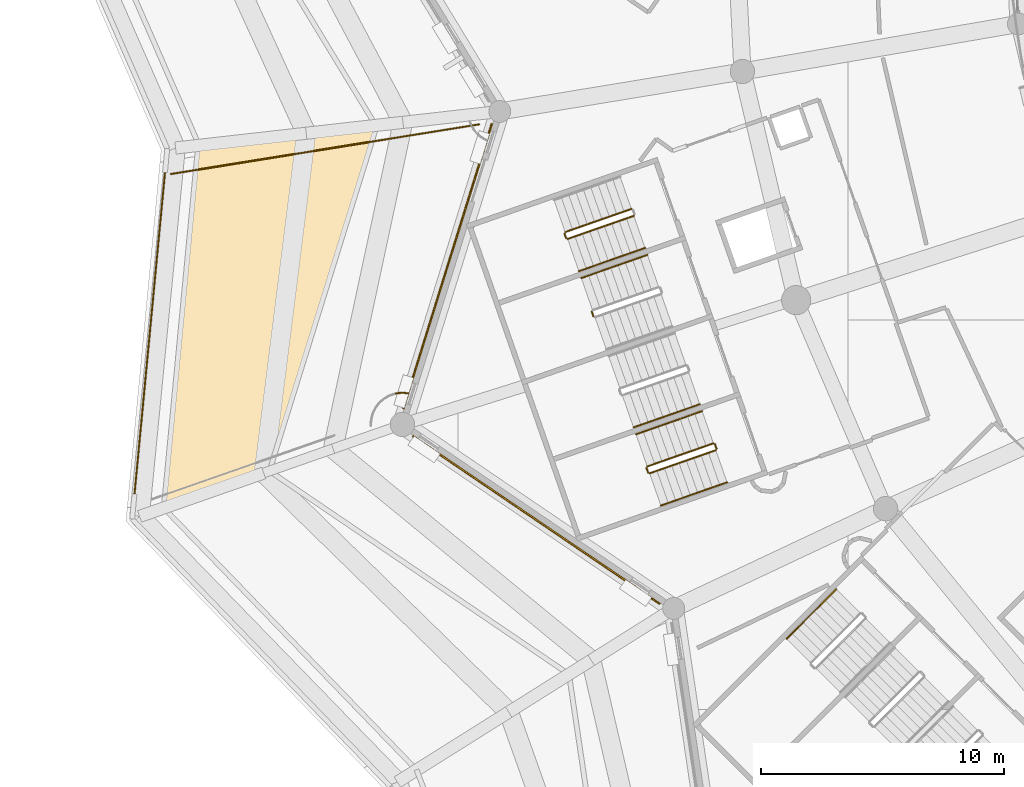
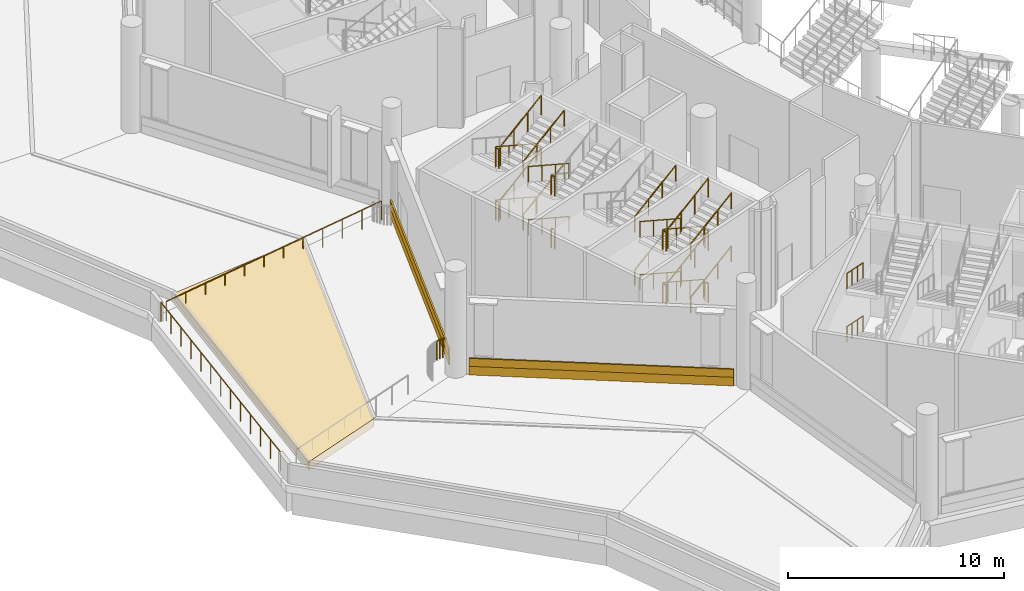
# One storey, part 111 of 173: 33 railings, 5 coverings.
"""IFC4 building model written with IfcOpenShell, lengths in metres."""

from ifc_helpers import new_model, si_unit, direction, frame, origin, origin_2d, place, context, subcontext, project, spatial, polyline, rectangle, circle, outline, extrude, material, layer, layer_set, type_object, element, save


model = new_model("IFC4")

# Units and contexts
model_context = context("Model", 3, precision=1e-05, world=origin(), true_north=direction((0.0, 1.0)))
body_context = subcontext(model_context, "Body", "Model", "MODEL_VIEW")
ifc_project = project(units=[si_unit("LENGTHUNIT", "METRE"), si_unit("AREAUNIT", "SQUARE_METRE"), si_unit("VOLUMEUNIT", "CUBIC_METRE"), si_unit("PLANEANGLEUNIT", "RADIAN"), si_unit("MASSUNIT", "GRAM", prefix="KILO")], contexts=[model_context])

# Site, building, storey
site_placement = place(None, origin())
site = spatial("IfcSite", under=ifc_project, at=site_placement, CompositionType="ELEMENT")
building_placement = place(site_placement, origin())
building = spatial("IfcBuilding", under=site, at=building_placement, Name="Meseta Stadium", CompositionType="ELEMENT")
storey_placement = place(building_placement, frame((0.0, 0.0, 18.0)))
storey = spatial("IfcBuildingStorey", under=building, at=storey_placement, Name="L03", CompositionType="ELEMENT", Elevation=18.0)

# Coverings
ifc_material_1 = material(Name="Guadarrama granite cladding", Category="masonry")
ifc_layer_1 = layer(ifc_material_1, 0.06005859375)
ifc_layer_set_1 = layer_set([ifc_layer_1], Name="Granite plinth cladding 60")
covering_type_1 = type_object("IfcCoveringType", Name="Granite plinth cladding 60", PredefinedType="CLADDING", material=ifc_layer_set_1)
for number, where, z_axis, x_axis, name in (
    (1, (-96.433349609375, -61.799560546875, 0.0), (0.0, 0.0, 1.0), (0.29686825517, 0.954918446294, 0.0), "Granite plinth L03 F37"),
    (2, (-92.787353515625, -72.219482421875, 0.0), (0.0, 0.0, 1.0), (-0.827483560898, 0.561489943314, 0.0), "Granite plinth L03 F38"),
):
    element("IfcCovering", number, at=place(storey_placement, frame(where, z_axis=z_axis, x_axis=x_axis)), inside=storey, type_object=covering_type_1, Name=name, PredefinedType="CLADDING", context=body_context, shape_type="SweptSolid", body=[
        extrude(rectangle(XDim=12.273193359375, YDim=0.06005859375, at=origin_2d()), origin(), (0.0, 0.0, 1.0), 0.5),
    ])
ifc_material_2 = material(Name="Planting soil")
ifc_layer_2 = layer(ifc_material_2, 0.449951171875)
ifc_layer_set_2 = layer_set([ifc_layer_2], Name="Planting soil 450")
covering_type_2 = type_object("IfcCoveringType", Name="Planting soil 450", PredefinedType="FLOORING", material=ifc_layer_set_2)
covering_placement = place(storey_placement, origin())
element("IfcCovering", 3, at=covering_placement, inside=storey, type_object=covering_type_2, Name="Roof garden planting bed 5.1 panel 04", PredefinedType="FLOORING", context=body_context, shape_type="SweptSolid", body=[
    extrude(outline(polyline([(-99.38720703125, -56.015380859375), (-106.683349609375, -56.83740234375), (-108.0947265625, -71.727783203125), (-103.7548828125, -70.20947265625), (-99.357421875, -56.06396484375), (-99.38720703125, -56.015380859375)])), origin(), (0.0, 0.0, 1.0), 0.449951171875),
])

# Railings
ifc_material_3 = material(Name="Steel S355", Category="steel")
railing_type_1 = type_object("IfcRailingType", Name="Roof garden guard 1100", PredefinedType="GUARDRAIL", material=ifc_material_3)
railing_1_placement = place(storey_placement, frame((-109.29541015625, -71.148681640625, 0.0)))
element("IfcRailing", 4, at=railing_1_placement, inside=storey, type_object=railing_type_1, Name="Roof garden guard 5.29.1", PredefinedType="GUARDRAIL", context=body_context, shape_type="SweptSolid", body=[
    extrude(circle(Radius=0.02490234375, at=origin_2d()), frame((0.0, 0.0, 1.0751953125), z_axis=(0.094344729349, 0.995539588386, 0.0), x_axis=(-0.995539588386, 0.094344729349, 0.0)), (0.0, 0.0, 1.0), 13.249267578125),
    extrude(circle(Radius=0.02001953125, at=origin_2d()), origin(), (0.0, 0.0, 1.0), 1.050048828125),
    extrude(circle(Radius=0.02001953125, at=origin_2d()), frame((0.104248046875, 1.09912109375, 0.0)), (0.0, 0.0, 1.0), 1.050048828125),
    extrude(circle(Radius=0.02001953125, at=origin_2d()), frame((0.208251953125, 2.1982421875, 0.0)), (0.0, 0.0, 1.0), 1.050048828125),
    extrude(circle(Radius=0.02001953125, at=origin_2d()), frame((0.3125, 3.297607421875, 0.0)), (0.0, 0.0, 1.0), 1.050048828125),
    extrude(circle(Radius=0.02001953125, at=origin_2d()), frame((0.416748046875, 4.396728515625, 0.0)), (0.0, 0.0, 1.0), 1.050048828125),
    extrude(circle(Radius=0.02001953125, at=origin_2d()), frame((0.520751953125, 5.495849609375, 0.0)), (0.0, 0.0, 1.0), 1.050048828125),
    extrude(circle(Radius=0.02001953125, at=origin_2d()), frame((0.625, 6.59521484375, 0.0)), (0.0, 0.0, 1.0), 1.050048828125),
    extrude(circle(Radius=0.02001953125, at=origin_2d()), frame((0.729248046875, 7.6943359375, 0.0)), (0.0, 0.0, 1.0), 1.050048828125),
    extrude(circle(Radius=0.02001953125, at=origin_2d()), frame((0.833251953125, 8.79345703125, 0.0)), (0.0, 0.0, 1.0), 1.050048828125),
    extrude(circle(Radius=0.02001953125, at=origin_2d()), frame((0.9375, 9.892578125, 0.0)), (0.0, 0.0, 1.0), 1.050048828125),
    extrude(circle(Radius=0.02001953125, at=origin_2d()), frame((1.041748046875, 10.99169921875, 0.0)), (0.0, 0.0, 1.0), 1.050048828125),
    extrude(circle(Radius=0.02001953125, at=origin_2d()), frame((1.145751953125, 12.091064453125, 0.0)), (0.0, 0.0, 1.0), 1.050048828125),
    extrude(circle(Radius=0.02001953125, at=origin_2d()), frame((1.25, 13.190185546875, 0.0)), (0.0, 0.0, 1.0), 1.050048828125),
])
railing_2_placement = place(storey_placement, frame((-107.799072265625, -58.010009765625, 0.0)))
element("IfcRailing", 5, at=railing_2_placement, inside=storey, type_object=railing_type_1, Name="Roof garden end guard 2", PredefinedType="GUARDRAIL", context=body_context, shape_type="SweptSolid", body=[
    extrude(circle(Radius=0.02490234375, at=origin_2d()), frame((0.0, 0.0, 1.0751953125), z_axis=(0.987277688325, 0.159005553792, 0.0), x_axis=(-0.159005553792, 0.987277688325, 0.0)), (0.0, 0.0, 1.0), 12.822265625),
    extrude(circle(Radius=0.02001953125, at=origin_2d()), origin(), (0.0, 0.0, 1.0), 1.050048828125),
    extrude(circle(Radius=0.02001953125, at=origin_2d()), frame((1.15087890625, 0.185302734375, 0.0)), (0.0, 0.0, 1.0), 1.050048828125),
    extrude(circle(Radius=0.02001953125, at=origin_2d()), frame((2.3017578125, 0.37060546875, 0.0)), (0.0, 0.0, 1.0), 1.050048828125),
    extrude(circle(Radius=0.02001953125, at=origin_2d()), frame((3.452392578125, 0.55615234375, 0.0)), (0.0, 0.0, 1.0), 1.050048828125),
    extrude(circle(Radius=0.02001953125, at=origin_2d()), frame((4.603271484375, 0.741455078125, 0.0)), (0.0, 0.0, 1.0), 1.050048828125),
    extrude(circle(Radius=0.02001953125, at=origin_2d()), frame((5.754150390625, 0.9267578125, 0.0)), (0.0, 0.0, 1.0), 1.050048828125),
    extrude(circle(Radius=0.02001953125, at=origin_2d()), frame((6.905029296875, 1.112060546875, 0.0)), (0.0, 0.0, 1.0), 1.050048828125),
    extrude(circle(Radius=0.02001953125, at=origin_2d()), frame((8.055908203125, 1.29736328125, 0.0)), (0.0, 0.0, 1.0), 1.050048828125),
    extrude(circle(Radius=0.02001953125, at=origin_2d()), frame((9.206787109375, 1.482666015625, 0.0)), (0.0, 0.0, 1.0), 1.050048828125),
    extrude(circle(Radius=0.02001953125, at=origin_2d()), frame((10.357421875, 1.668212890625, 0.0)), (0.0, 0.0, 1.0), 1.050048828125),
    extrude(circle(Radius=0.02001953125, at=origin_2d()), frame((11.50830078125, 1.853515625, 0.0)), (0.0, 0.0, 1.0), 1.050048828125),
    extrude(circle(Radius=0.02001953125, at=origin_2d()), frame((12.6591796875, 2.038818359375, 0.0)), (0.0, 0.0, 1.0), 1.050048828125),
])
railing_3_placement = place(storey_placement, frame((-98.056640625, -67.018798828125, 0.0)))
element("IfcRailing", 6, at=railing_3_placement, inside=storey, type_object=railing_type_1, Name="Roof garden pit guard 39.5.1", PredefinedType="GUARDRAIL", context=body_context, shape_type="SweptSolid", body=[
    extrude(circle(Radius=0.02490234375, at=origin_2d()), frame((0.0, 0.0, 1.0751953125), z_axis=(-0.993180048312, 0.116590701324, 0.0), x_axis=(-0.116590701324, -0.993180048312, 0.0)), (0.0, 0.0, 1.0), 0.169677734375),
    extrude(circle(Radius=0.02001953125, at=origin_2d()), origin(), (0.0, 0.0, 1.0), 1.050048828125),
    extrude(circle(Radius=0.02001953125, at=origin_2d()), frame((-0.16845703125, 0.019775390625, 0.0)), (0.0, 0.0, 1.0), 1.050048828125),
])
railing_4_placement = place(storey_placement, frame((-98.22509765625, -66.9990234375, 0.0)))
element("IfcRailing", 7, at=railing_4_placement, inside=storey, type_object=railing_type_1, Name="Roof garden pit guard 39.5.2", PredefinedType="GUARDRAIL", context=body_context, shape_type="SweptSolid", body=[
    extrude(circle(Radius=0.02490234375, at=origin_2d()), frame((0.0, 0.0, 1.0751953125), z_axis=(-0.999874410129, -0.015848153475, 0.0), x_axis=(0.015848153475, -0.999874410129, 0.0)), (0.0, 0.0, 1.0), 0.16943359375),
    extrude(circle(Radius=0.02001953125, at=origin_2d()), origin(), (0.0, 0.0, 1.0), 1.050048828125),
    extrude(circle(Radius=0.02001953125, at=origin_2d()), frame((-0.16943359375, -0.002685546875, 0.0)), (0.0, 0.0, 1.0), 1.050048828125),
])
railing_5_placement = place(storey_placement, frame((-98.39453125, -67.001708984375, 0.0)))
element("IfcRailing", 8, at=railing_5_placement, inside=storey, type_object=railing_type_1, Name="Roof garden pit guard 39.5.3", PredefinedType="GUARDRAIL", context=body_context, shape_type="SweptSolid", body=[
    extrude(circle(Radius=0.02490234375, at=origin_2d()), frame((0.0, 0.0, 1.0751953125), z_axis=(-0.989601334587, -0.143837403283, 0.0), x_axis=(0.143837403283, -0.989601334587, 0.0)), (0.0, 0.0, 1.0), 0.169677734375),
    extrude(circle(Radius=0.02001953125, at=origin_2d()), origin(), (0.0, 0.0, 1.0), 1.050048828125),
    extrude(circle(Radius=0.02001953125, at=origin_2d()), frame((-0.16796875, -0.0244140625, 0.0)), (0.0, 0.0, 1.0), 1.050048828125),
])
ifc_material_4 = material(Name="Steel S355", Category="steel")
railing_type_2 = type_object("IfcRailingType", Name="Stair guard 1100", PredefinedType="GUARDRAIL", material=ifc_material_4)
railing_6_placement = place(storey_placement, frame((-88.88720703125, -59.44482421875, 0.14990234375)))
element("IfcRailing", 9, at=railing_6_placement, inside=storey, type_object=railing_type_2, Name="ST77 L03 guard 1", PredefinedType="GUARDRAIL", context=body_context, shape_type="SweptSolid", body=[
    extrude(circle(Radius=0.02392578125, at=origin_2d()), frame((0.0, 0.0, 1.076171875), z_axis=(-0.854649344405, -0.299031328765, 0.42444641891), x_axis=(0.330256026668, -0.943891390388, 0.0)), (0.0, 0.0, 1.0), 3.180908203125),
    extrude(circle(Radius=0.02099609375, at=origin_2d()), origin(), (0.0, 0.0, 1.0), 1.052001953125),
    extrude(circle(Radius=0.02099609375, at=origin_2d()), frame((-0.90625, -0.317138671875, 0.449951171875)), (0.0, 0.0, 1.0), 1.052001953125),
    extrude(circle(Radius=0.02099609375, at=origin_2d()), frame((-1.812255859375, -0.634033203125, 0.900146484375)), (0.0, 0.0, 1.0), 1.052001953125),
    extrude(circle(Radius=0.02099609375, at=origin_2d()), frame((-2.718505859375, -0.951171875, 1.35009765625)), (0.0, 0.0, 1.0), 1.052001953125),
])
railing_7_placement = place(storey_placement, frame((-91.63623046875, -60.459716796875, 1.5)))
element("IfcRailing", 10, at=railing_7_placement, inside=storey, type_object=railing_type_2, Name="ST77 L03 guard 2", PredefinedType="GUARDRAIL", context=body_context, shape_type="SweptSolid", body=[
    extrude(circle(Radius=0.02392578125, at=origin_2d()), frame((0.0, 0.0, 1.076171875), z_axis=(0.329751946816, -0.944067610699, 0.0), x_axis=(0.944067610699, 0.329751946816, 0.0)), (0.0, 0.0, 1.0), 0.199951171875),
    extrude(circle(Radius=0.02099609375, at=origin_2d()), origin(), (0.0, 0.0, 1.0), 1.052001953125),
    extrude(circle(Radius=0.02099609375, at=origin_2d()), frame((0.06591796875, -0.188720703125, 0.0)), (0.0, 0.0, 1.0), 1.052001953125),
])
railing_8_placement = place(storey_placement, frame((-91.506591796875, -60.67919921875, 1.64990234375)))
element("IfcRailing", 11, at=railing_8_placement, inside=storey, type_object=railing_type_2, Name="ST77 L03 guard 3", PredefinedType="GUARDRAIL", context=body_context, shape_type="SweptSolid", body=[
    extrude(circle(Radius=0.02392578125, at=origin_2d()), frame((0.0, 0.0, 1.076171875), z_axis=(0.854649344405, 0.299031328765, 0.42444641891), x_axis=(-0.330256026668, 0.943891390388, 0.0)), (0.0, 0.0, 1.0), 3.180908203125),
    extrude(circle(Radius=0.02099609375, at=origin_2d()), origin(), (0.0, 0.0, 1.0), 1.052001953125),
    extrude(circle(Radius=0.02099609375, at=origin_2d()), frame((0.90625, 0.317138671875, 0.449951171875)), (0.0, 0.0, 1.0), 1.052001953125),
    extrude(circle(Radius=0.02099609375, at=origin_2d()), frame((1.812255859375, 0.634033203125, 0.900146484375)), (0.0, 0.0, 1.0), 1.052001953125),
    extrude(circle(Radius=0.02099609375, at=origin_2d()), frame((2.718505859375, 0.951171875, 1.35009765625)), (0.0, 0.0, 1.0), 1.052001953125),
])
railing_9_placement = place(storey_placement, frame((-88.88720703125, -59.44482421875, 3.14990234375)))
element("IfcRailing", 12, at=railing_9_placement, inside=storey, type_object=railing_type_2, Name="ST77 L03 guard 5", PredefinedType="GUARDRAIL", context=body_context, shape_type="SweptSolid", body=[
    extrude(circle(Radius=0.02392578125, at=origin_2d()), frame((0.0, 0.0, 1.076171875), z_axis=(-0.854649344405, -0.299031328765, 0.42444641891), x_axis=(0.330256026668, -0.943891390388, 0.0)), (0.0, 0.0, 1.0), 3.180908203125),
    extrude(circle(Radius=0.02099609375, at=origin_2d()), origin(), (0.0, 0.0, 1.0), 1.052001953125),
    extrude(circle(Radius=0.02099609375, at=origin_2d()), frame((-0.90625, -0.317138671875, 0.449951171875)), (0.0, 0.0, 1.0), 1.052001953125),
    extrude(circle(Radius=0.02099609375, at=origin_2d()), frame((-1.812255859375, -0.634033203125, 0.900146484375)), (0.0, 0.0, 1.0), 1.052001953125),
    extrude(circle(Radius=0.02099609375, at=origin_2d()), frame((-2.718505859375, -0.951171875, 1.35009765625)), (0.0, 0.0, 1.0), 1.052001953125),
])
railing_10_placement = place(storey_placement, frame((-91.63623046875, -60.459716796875, 4.5)))
element("IfcRailing", 13, at=railing_10_placement, inside=storey, type_object=railing_type_2, Name="ST77 L03 guard 6", PredefinedType="GUARDRAIL", context=body_context, shape_type="SweptSolid", body=[
    extrude(circle(Radius=0.02392578125, at=origin_2d()), frame((0.0, 0.0, 1.076171875), z_axis=(0.329751946816, -0.944067610699, 0.0), x_axis=(0.944067610699, 0.329751946816, 0.0)), (0.0, 0.0, 1.0), 0.199951171875),
    extrude(circle(Radius=0.02099609375, at=origin_2d()), origin(), (0.0, 0.0, 1.0), 1.052001953125),
    extrude(circle(Radius=0.02099609375, at=origin_2d()), frame((0.06591796875, -0.188720703125, 0.0)), (0.0, 0.0, 1.0), 1.052001953125),
])
railing_11_placement = place(storey_placement, frame((-91.506591796875, -60.67919921875, 4.64990234375)))
element("IfcRailing", 14, at=railing_11_placement, inside=storey, type_object=railing_type_2, Name="ST77 L03 guard 7", PredefinedType="GUARDRAIL", context=body_context, shape_type="SweptSolid", body=[
    extrude(circle(Radius=0.02392578125, at=origin_2d()), frame((0.0, 0.0, 1.076171875), z_axis=(0.854649344405, 0.299031328765, 0.42444641891), x_axis=(-0.330256026668, 0.943891390388, 0.0)), (0.0, 0.0, 1.0), 3.180908203125),
    extrude(circle(Radius=0.02099609375, at=origin_2d()), origin(), (0.0, 0.0, 1.0), 1.052001953125),
    extrude(circle(Radius=0.02099609375, at=origin_2d()), frame((0.90625, 0.317138671875, 0.449951171875)), (0.0, 0.0, 1.0), 1.052001953125),
    extrude(circle(Radius=0.02099609375, at=origin_2d()), frame((1.812255859375, 0.634033203125, 0.900146484375)), (0.0, 0.0, 1.0), 1.052001953125),
    extrude(circle(Radius=0.02099609375, at=origin_2d()), frame((2.718505859375, 0.951171875, 1.35009765625)), (0.0, 0.0, 1.0), 1.052001953125),
])
for number, where, name in (
    (15, (-90.513427734375, -63.6689453125, 1.5), "ST78 L03 guard 2"),
    (16, (-90.513427734375, -63.6689453125, 4.5), "ST78 L03 guard 6"),
):
    element("IfcRailing", number, at=place(storey_placement, frame(where)), inside=storey, type_object=railing_type_2, Name=name, PredefinedType="GUARDRAIL", context=body_context, shape_type="SweptSolid", body=[
        extrude(circle(Radius=0.02392578125, at=origin_2d()), frame((0.0, 0.0, 1.076171875), z_axis=(0.330839792317, -0.943686935281, 0.0), x_axis=(0.943686935281, 0.330839792317, 0.0)), (0.0, 0.0, 1.0), 0.199951171875),
        extrude(circle(Radius=0.02099609375, at=origin_2d()), origin(), (0.0, 0.0, 1.0), 1.052001953125),
        extrude(circle(Radius=0.02099609375, at=origin_2d()), frame((0.066162109375, -0.188720703125, 0.0)), (0.0, 0.0, 1.0), 1.052001953125),
    ])
railing_12_placement = place(storey_placement, frame((-85.518310546875, -69.072509765625, 0.14990234375)))
element("IfcRailing", 17, at=railing_12_placement, inside=storey, type_object=railing_type_2, Name="ST80 L03 guard 1", PredefinedType="GUARDRAIL", context=body_context, shape_type="SweptSolid", body=[
    extrude(circle(Radius=0.02392578125, at=origin_2d()), frame((0.0, 0.0, 1.076171875), z_axis=(-0.854649344405, -0.299031328765, 0.42444641891), x_axis=(0.330256026668, -0.943891390388, 0.0)), (0.0, 0.0, 1.0), 3.180908203125),
    extrude(circle(Radius=0.02099609375, at=origin_2d()), origin(), (0.0, 0.0, 1.0), 1.052001953125),
    extrude(circle(Radius=0.02099609375, at=origin_2d()), frame((-0.90625, -0.317138671875, 0.449951171875)), (0.0, 0.0, 1.0), 1.052001953125),
    extrude(circle(Radius=0.02099609375, at=origin_2d()), frame((-1.812255859375, -0.634033203125, 0.900146484375)), (0.0, 0.0, 1.0), 1.052001953125),
    extrude(circle(Radius=0.02099609375, at=origin_2d()), frame((-2.718505859375, -0.951171875, 1.35009765625)), (0.0, 0.0, 1.0), 1.052001953125),
])
railing_13_placement = place(storey_placement, frame((-88.267578125, -70.08740234375, 1.5)))
element("IfcRailing", 18, at=railing_13_placement, inside=storey, type_object=railing_type_2, Name="ST80 L03 guard 2", PredefinedType="GUARDRAIL", context=body_context, shape_type="SweptSolid", body=[
    extrude(circle(Radius=0.02392578125, at=origin_2d()), frame((0.0, 0.0, 1.076171875), z_axis=(0.330839792317, -0.943686935281, 0.0), x_axis=(0.943686935281, 0.330839792317, 0.0)), (0.0, 0.0, 1.0), 0.199951171875),
    extrude(circle(Radius=0.02099609375, at=origin_2d()), origin(), (0.0, 0.0, 1.0), 1.052001953125),
    extrude(circle(Radius=0.02099609375, at=origin_2d()), frame((0.066162109375, -0.188720703125, 0.0)), (0.0, 0.0, 1.0), 1.052001953125),
])
railing_14_placement = place(storey_placement, frame((-88.1376953125, -70.306640625, 1.64990234375)))
element("IfcRailing", 19, at=railing_14_placement, inside=storey, type_object=railing_type_2, Name="ST80 L03 guard 3", PredefinedType="GUARDRAIL", context=body_context, shape_type="SweptSolid", body=[
    extrude(circle(Radius=0.02392578125, at=origin_2d()), frame((0.0, 0.0, 1.076171875), z_axis=(0.854628651604, 0.299050945451, 0.424474262922), x_axis=(-0.33028245302, 0.943882143717, 0.0)), (0.0, 0.0, 1.0), 3.1806640625),
    extrude(circle(Radius=0.02099609375, at=origin_2d()), origin(), (0.0, 0.0, 1.0), 1.052001953125),
    extrude(circle(Radius=0.02099609375, at=origin_2d()), frame((0.906005859375, 0.317138671875, 0.449951171875)), (0.0, 0.0, 1.0), 1.052001953125),
    extrude(circle(Radius=0.02099609375, at=origin_2d()), frame((1.812255859375, 0.634033203125, 0.900146484375)), (0.0, 0.0, 1.0), 1.052001953125),
    extrude(circle(Radius=0.02099609375, at=origin_2d()), frame((2.71826171875, 0.951171875, 1.35009765625)), (0.0, 0.0, 1.0), 1.052001953125),
])
railing_15_placement = place(storey_placement, frame((-85.454833984375, -69.10302734375, 3.0)))
element("IfcRailing", 20, at=railing_15_placement, inside=storey, type_object=railing_type_2, Name="ST80 L03 guard 4", PredefinedType="GUARDRAIL", context=body_context, shape_type="SweptSolid", body=[
    extrude(circle(Radius=0.02392578125, at=origin_2d()), frame((0.0, 0.0, 1.076171875), z_axis=(0.330839792317, -0.943686935281, 0.0), x_axis=(0.943686935281, 0.330839792317, 0.0)), (0.0, 0.0, 1.0), 0.199951171875),
    extrude(circle(Radius=0.02099609375, at=origin_2d()), origin(), (0.0, 0.0, 1.0), 1.052001953125),
    extrude(circle(Radius=0.02099609375, at=origin_2d()), frame((0.066162109375, -0.188720703125, 0.0)), (0.0, 0.0, 1.0), 1.052001953125),
])
railing_16_placement = place(storey_placement, frame((-85.518310546875, -69.072509765625, 3.14990234375)))
element("IfcRailing", 21, at=railing_16_placement, inside=storey, type_object=railing_type_2, Name="ST80 L03 guard 5", PredefinedType="GUARDRAIL", context=body_context, shape_type="SweptSolid", body=[
    extrude(circle(Radius=0.02392578125, at=origin_2d()), frame((0.0, 0.0, 1.076171875), z_axis=(-0.854649344405, -0.299031328765, 0.42444641891), x_axis=(0.330256026668, -0.943891390388, 0.0)), (0.0, 0.0, 1.0), 3.180908203125),
    extrude(circle(Radius=0.02099609375, at=origin_2d()), origin(), (0.0, 0.0, 1.0), 1.052001953125),
    extrude(circle(Radius=0.02099609375, at=origin_2d()), frame((-0.90625, -0.317138671875, 0.449951171875)), (0.0, 0.0, 1.0), 1.052001953125),
    extrude(circle(Radius=0.02099609375, at=origin_2d()), frame((-1.812255859375, -0.634033203125, 0.900146484375)), (0.0, 0.0, 1.0), 1.052001953125),
    extrude(circle(Radius=0.02099609375, at=origin_2d()), frame((-2.718505859375, -0.951171875, 1.35009765625)), (0.0, 0.0, 1.0), 1.052001953125),
])
railing_17_placement = place(storey_placement, frame((-88.267578125, -70.08740234375, 4.5)))
element("IfcRailing", 22, at=railing_17_placement, inside=storey, type_object=railing_type_2, Name="ST80 L03 guard 6", PredefinedType="GUARDRAIL", context=body_context, shape_type="SweptSolid", body=[
    extrude(circle(Radius=0.02392578125, at=origin_2d()), frame((0.0, 0.0, 1.076171875), z_axis=(0.330839792317, -0.943686935281, 0.0), x_axis=(0.943686935281, 0.330839792317, 0.0)), (0.0, 0.0, 1.0), 0.199951171875),
    extrude(circle(Radius=0.02099609375, at=origin_2d()), origin(), (0.0, 0.0, 1.0), 1.052001953125),
    extrude(circle(Radius=0.02099609375, at=origin_2d()), frame((0.066162109375, -0.188720703125, 0.0)), (0.0, 0.0, 1.0), 1.052001953125),
])
railing_18_placement = place(storey_placement, frame((-88.1376953125, -70.306640625, 4.64990234375)))
element("IfcRailing", 23, at=railing_18_placement, inside=storey, type_object=railing_type_2, Name="ST80 L03 guard 7", PredefinedType="GUARDRAIL", context=body_context, shape_type="SweptSolid", body=[
    extrude(circle(Radius=0.02392578125, at=origin_2d()), frame((0.0, 0.0, 1.076171875), z_axis=(0.854628651604, 0.299050945451, 0.424474262922), x_axis=(-0.33028245302, 0.943882143717, 0.0)), (0.0, 0.0, 1.0), 3.1806640625),
    extrude(circle(Radius=0.02099609375, at=origin_2d()), origin(), (0.0, 0.0, 1.0), 1.052001953125),
    extrude(circle(Radius=0.02099609375, at=origin_2d()), frame((0.906005859375, 0.317138671875, 0.449951171875)), (0.0, 0.0, 1.0), 1.052001953125),
    extrude(circle(Radius=0.02099609375, at=origin_2d()), frame((1.812255859375, 0.634033203125, 0.900146484375)), (0.0, 0.0, 1.0), 1.052001953125),
    extrude(circle(Radius=0.02099609375, at=origin_2d()), frame((2.71826171875, 0.951171875, 1.35009765625)), (0.0, 0.0, 1.0), 1.052001953125),
])
railing_19_placement = place(storey_placement, frame((-85.454833984375, -69.10302734375, 0.0)))
element("IfcRailing", 24, at=railing_19_placement, inside=storey, type_object=railing_type_2, Name="ST80 L03 guard 8", PredefinedType="GUARDRAIL", context=body_context, shape_type="SweptSolid", body=[
    extrude(circle(Radius=0.02392578125, at=origin_2d()), frame((0.0, 0.0, 1.076171875), z_axis=(0.330839792317, -0.943686935281, 0.0), x_axis=(0.943686935281, 0.330839792317, 0.0)), (0.0, 0.0, 1.0), 0.199951171875),
    extrude(circle(Radius=0.02099609375, at=origin_2d()), origin(), (0.0, 0.0, 1.0), 1.052001953125),
    extrude(circle(Radius=0.02099609375, at=origin_2d()), frame((0.066162109375, -0.188720703125, 0.0)), (0.0, 0.0, 1.0), 1.052001953125),
])
ifc_material_5 = material(Name="Steel S355", Category="steel")
railing_type_3 = type_object("IfcRailingType", Name="Stair handrail 900", PredefinedType="HANDRAIL", material=ifc_material_5)
for number, where, name in (
    (25, (-91.044189453125, -62.00048828125, 1.64990234375), "ST77 L03 handrail 2"),
    (26, (-91.044189453125, -62.00048828125, 4.64990234375), "ST77 L03 handrail 4"),
):
    element("IfcRailing", number, at=place(storey_placement, frame(where)), inside=storey, type_object=railing_type_3, Name=name, PredefinedType="HANDRAIL", context=body_context, shape_type="SweptSolid", body=[
        extrude(circle(Radius=0.02392578125, at=origin_2d()), frame((0.0, 0.0, 0.8759765625), z_axis=(0.854649344405, 0.299031328765, 0.42444641891), x_axis=(-0.330256026668, 0.943891390388, 0.0)), (0.0, 0.0, 1.0), 3.180908203125),
        extrude(circle(Radius=0.02099609375, at=origin_2d()), origin(), (0.0, 0.0, 1.0), 0.851806640625),
        extrude(circle(Radius=0.02099609375, at=origin_2d()), frame((0.90625, 0.317138671875, 0.449951171875)), (0.0, 0.0, 1.0), 0.851806640625),
        extrude(circle(Radius=0.02099609375, at=origin_2d()), frame((1.812255859375, 0.634033203125, 0.900146484375)), (0.0, 0.0, 1.0), 0.851806640625),
        extrude(circle(Radius=0.02099609375, at=origin_2d()), frame((2.718505859375, 0.951171875, 1.35009765625)), (0.0, 0.0, 1.0), 0.851806640625),
    ])
for number, where, name in (
    (27, (-88.226806640625, -61.33251953125, 0.14990234375), "ST78 L03 handrail 1"),
    (28, (-88.226806640625, -61.33251953125, 3.14990234375), "ST78 L03 handrail 3"),
):
    element("IfcRailing", number, at=place(storey_placement, frame(where)), inside=storey, type_object=railing_type_3, Name=name, PredefinedType="HANDRAIL", context=body_context, shape_type="SweptSolid", body=[
        extrude(circle(Radius=0.02392578125, at=origin_2d()), frame((0.0, 0.0, 0.8759765625), z_axis=(-0.854628651604, -0.299050945451, 0.424474262922), x_axis=(0.33028245302, -0.943882143717, 0.0)), (0.0, 0.0, 1.0), 3.1806640625),
        extrude(circle(Radius=0.02099609375, at=origin_2d()), origin(), (0.0, 0.0, 1.0), 0.851806640625),
        extrude(circle(Radius=0.02099609375, at=origin_2d()), frame((-0.906005859375, -0.317138671875, 0.449951171875)), (0.0, 0.0, 1.0), 0.851806640625),
        extrude(circle(Radius=0.02099609375, at=origin_2d()), frame((-1.812255859375, -0.634033203125, 0.900146484375)), (0.0, 0.0, 1.0), 0.851806640625),
        extrude(circle(Radius=0.02099609375, at=origin_2d()), frame((-2.71826171875, -0.951171875, 1.35009765625)), (0.0, 0.0, 1.0), 0.851806640625),
    ])
for number, where, name in (
    (29, (-88.79833984375, -68.4189453125, 1.64990234375), "ST79 L03 handrail 2"),
    (30, (-88.79833984375, -68.4189453125, 4.64990234375), "ST79 L03 handrail 4"),
):
    element("IfcRailing", number, at=place(storey_placement, frame(where)), inside=storey, type_object=railing_type_3, Name=name, PredefinedType="HANDRAIL", context=body_context, shape_type="SweptSolid", body=[
        extrude(circle(Radius=0.02392578125, at=origin_2d()), frame((0.0, 0.0, 0.8759765625), z_axis=(0.854649344405, 0.299031328765, 0.42444641891), x_axis=(-0.330256026668, 0.943891390388, 0.0)), (0.0, 0.0, 1.0), 3.180908203125),
        extrude(circle(Radius=0.02099609375, at=origin_2d()), origin(), (0.0, 0.0, 1.0), 0.851806640625),
        extrude(circle(Radius=0.02099609375, at=origin_2d()), frame((0.90625, 0.317138671875, 0.449951171875)), (0.0, 0.0, 1.0), 0.851806640625),
        extrude(circle(Radius=0.02099609375, at=origin_2d()), frame((1.812255859375, 0.634033203125, 0.900146484375)), (0.0, 0.0, 1.0), 0.851806640625),
        extrude(circle(Radius=0.02099609375, at=origin_2d()), frame((2.718505859375, 0.951171875, 1.35009765625)), (0.0, 0.0, 1.0), 0.851806640625),
    ])
railing_20_placement = place(storey_placement, frame((-85.980712890625, -67.7509765625, 0.14990234375)))
element("IfcRailing", 31, at=railing_20_placement, inside=storey, type_object=railing_type_3, Name="ST80 L03 handrail 1", PredefinedType="HANDRAIL", context=body_context, shape_type="SweptSolid", body=[
    extrude(circle(Radius=0.02392578125, at=origin_2d()), frame((0.0, 0.0, 0.8759765625), z_axis=(-0.854649344405, -0.299031328765, 0.42444641891), x_axis=(0.330256026668, -0.943891390388, 0.0)), (0.0, 0.0, 1.0), 3.180908203125),
    extrude(circle(Radius=0.02099609375, at=origin_2d()), origin(), (0.0, 0.0, 1.0), 0.851806640625),
    extrude(circle(Radius=0.02099609375, at=origin_2d()), frame((-0.90625, -0.317138671875, 0.449951171875)), (0.0, 0.0, 1.0), 0.851806640625),
    extrude(circle(Radius=0.02099609375, at=origin_2d()), frame((-1.812255859375, -0.634033203125, 0.900146484375)), (0.0, 0.0, 1.0), 0.851806640625),
    extrude(circle(Radius=0.02099609375, at=origin_2d()), frame((-2.718505859375, -0.951171875, 1.35009765625)), (0.0, 0.0, 1.0), 0.851806640625),
])
railing_21_placement = place(storey_placement, frame((-87.67529296875, -71.628173828125, 1.64990234375)))
element("IfcRailing", 32, at=railing_21_placement, inside=storey, type_object=railing_type_3, Name="ST80 L03 handrail 2", PredefinedType="HANDRAIL", context=body_context, shape_type="SweptSolid", body=[
    extrude(circle(Radius=0.02392578125, at=origin_2d()), frame((0.0, 0.0, 0.8759765625), z_axis=(0.854628651604, 0.299050945451, 0.424474262922), x_axis=(-0.33028245302, 0.943882143717, 0.0)), (0.0, 0.0, 1.0), 3.1806640625),
    extrude(circle(Radius=0.02099609375, at=origin_2d()), origin(), (0.0, 0.0, 1.0), 0.851806640625),
    extrude(circle(Radius=0.02099609375, at=origin_2d()), frame((0.906005859375, 0.317138671875, 0.449951171875)), (0.0, 0.0, 1.0), 0.851806640625),
    extrude(circle(Radius=0.02099609375, at=origin_2d()), frame((1.812255859375, 0.634033203125, 0.900146484375)), (0.0, 0.0, 1.0), 0.851806640625),
    extrude(circle(Radius=0.02099609375, at=origin_2d()), frame((2.71826171875, 0.951171875, 1.35009765625)), (0.0, 0.0, 1.0), 0.851806640625),
])
railing_22_placement = place(storey_placement, frame((-85.980712890625, -67.7509765625, 3.14990234375)))
element("IfcRailing", 33, at=railing_22_placement, inside=storey, type_object=railing_type_3, Name="ST80 L03 handrail 3", PredefinedType="HANDRAIL", context=body_context, shape_type="SweptSolid", body=[
    extrude(circle(Radius=0.02392578125, at=origin_2d()), frame((0.0, 0.0, 0.8759765625), z_axis=(-0.854649344405, -0.299031328765, 0.42444641891), x_axis=(0.330256026668, -0.943891390388, 0.0)), (0.0, 0.0, 1.0), 3.180908203125),
    extrude(circle(Radius=0.02099609375, at=origin_2d()), origin(), (0.0, 0.0, 1.0), 0.851806640625),
    extrude(circle(Radius=0.02099609375, at=origin_2d()), frame((-0.90625, -0.317138671875, 0.449951171875)), (0.0, 0.0, 1.0), 0.851806640625),
    extrude(circle(Radius=0.02099609375, at=origin_2d()), frame((-1.812255859375, -0.634033203125, 0.900146484375)), (0.0, 0.0, 1.0), 0.851806640625),
    extrude(circle(Radius=0.02099609375, at=origin_2d()), frame((-2.718505859375, -0.951171875, 1.35009765625)), (0.0, 0.0, 1.0), 0.851806640625),
])
railing_23_placement = place(storey_placement, frame((-87.67529296875, -71.628173828125, 4.64990234375)))
element("IfcRailing", 34, at=railing_23_placement, inside=storey, type_object=railing_type_3, Name="ST80 L03 handrail 4", PredefinedType="HANDRAIL", context=body_context, shape_type="SweptSolid", body=[
    extrude(circle(Radius=0.02392578125, at=origin_2d()), frame((0.0, 0.0, 0.8759765625), z_axis=(0.854628651604, 0.299050945451, 0.424474262922), x_axis=(-0.33028245302, 0.943882143717, 0.0)), (0.0, 0.0, 1.0), 3.1806640625),
    extrude(circle(Radius=0.02099609375, at=origin_2d()), origin(), (0.0, 0.0, 1.0), 0.851806640625),
    extrude(circle(Radius=0.02099609375, at=origin_2d()), frame((0.906005859375, 0.317138671875, 0.449951171875)), (0.0, 0.0, 1.0), 0.851806640625),
    extrude(circle(Radius=0.02099609375, at=origin_2d()), frame((1.812255859375, 0.634033203125, 0.900146484375)), (0.0, 0.0, 1.0), 0.851806640625),
    extrude(circle(Radius=0.02099609375, at=origin_2d()), frame((2.71826171875, 0.951171875, 1.35009765625)), (0.0, 0.0, 1.0), 0.851806640625),
])
for number, where, name in (
    (35, (-80.471435546875, -75.06689453125, 0.14990234375), "ST81 L03 handrail 1"),
    (36, (-80.471435546875, -75.06689453125, 3.14990234375), "ST81 L03 handrail 3"),
):
    element("IfcRailing", number, at=place(storey_placement, frame(where)), inside=storey, type_object=railing_type_3, Name=name, PredefinedType="HANDRAIL", context=body_context, shape_type="SweptSolid", body=[
        extrude(circle(Radius=0.02392578125, at=origin_2d()), frame((0.0, 0.0, 0.8759765625), z_axis=(-0.640211215754, -0.640287970486, 0.424453665402), x_axis=(0.707149164786, -0.707064395047, 0.0)), (0.0, 0.0, 1.0), 3.180908203125),
        extrude(circle(Radius=0.02099609375, at=origin_2d()), origin(), (0.0, 0.0, 1.0), 0.851806640625),
        extrude(circle(Radius=0.02099609375, at=origin_2d()), frame((-0.6787109375, -0.678955078125, 0.449951171875)), (0.0, 0.0, 1.0), 0.851806640625),
        extrude(circle(Radius=0.02099609375, at=origin_2d()), frame((-1.357666015625, -1.357666015625, 0.900146484375)), (0.0, 0.0, 1.0), 0.851806640625),
        extrude(circle(Radius=0.02099609375, at=origin_2d()), frame((-2.036376953125, -2.03662109375, 1.35009765625)), (0.0, 0.0, 1.0), 0.851806640625),
    ])

# Coverings
ifc_material_6 = material(Name="Precast concrete C40/50, terracotta pigment", Category="masonry")
ifc_layer_3 = layer(ifc_material_6, 0.080078125)
ifc_layer_set_3 = layer_set([ifc_layer_3], Name="Precast concrete C40/50, terracotta pigment")
covering_type_3 = type_object("IfcCoveringType", Name="Terracotta precast band 80", PredefinedType="CLADDING", material=ifc_layer_set_3)
for number, where, z_axis, x_axis, name in (
    (37, (-96.44287109375, -61.796630859375, 0.5), (0.0, 0.0, 1.0), (0.29686825517, 0.954918446294, 0.0), "Terracotta band L03 F37"),
    (38, (-92.79296875, -72.227783203125, 0.5), (0.0, 0.0, 1.0), (-0.827483560898, 0.561489943314, 0.0), "Terracotta band L03 F38"),
):
    element("IfcCovering", number, at=place(storey_placement, frame(where, z_axis=z_axis, x_axis=x_axis)), inside=storey, type_object=covering_type_3, Name=name, PredefinedType="CLADDING", context=body_context, shape_type="SweptSolid", body=[
        extrude(rectangle(XDim=12.273193359375, YDim=0.080078125, at=origin_2d()), origin(), (0.0, 0.0, 1.0), 0.449951171875),
    ])

save(model, "model.ifc")
